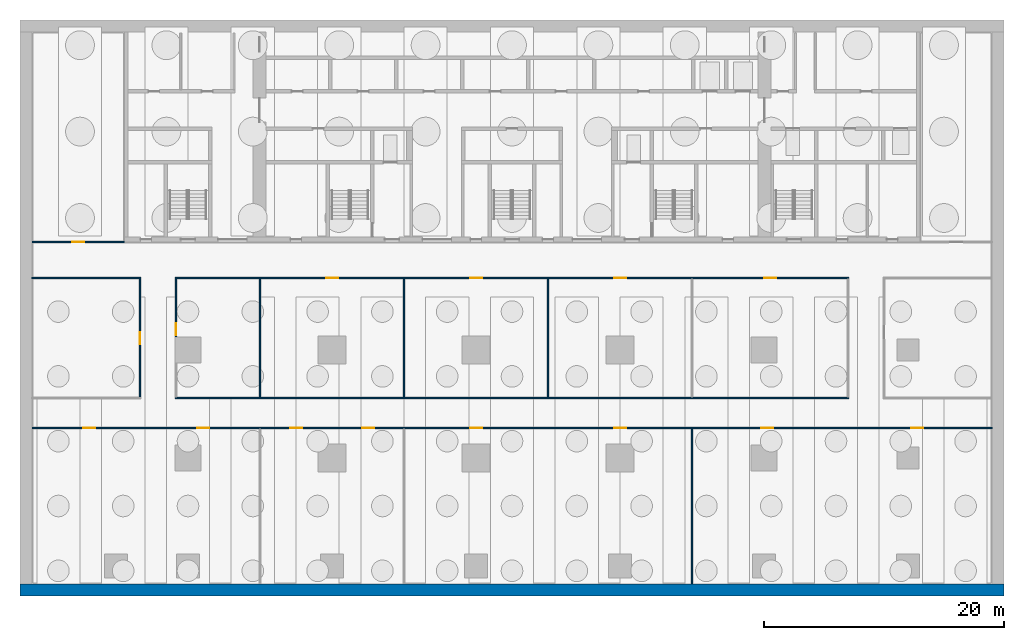
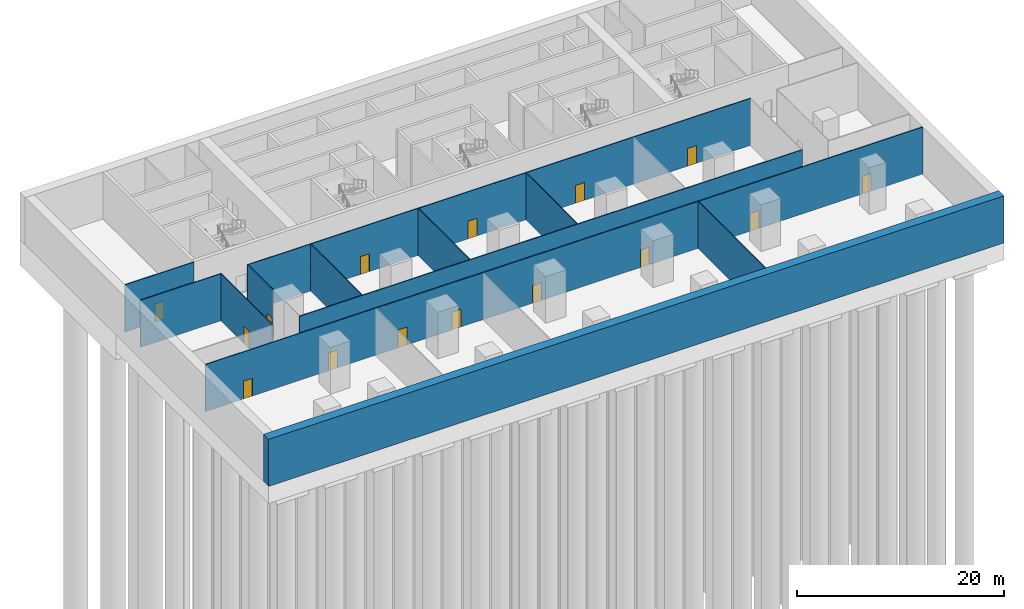
# One storey, part 3 of 11: 15 doors, 12 walls, 15 openings.
"""IFC4 building model written with IfcOpenShell, lengths in metres."""

from ifc_helpers import new_model, si_unit, direction, frame, frame_2d, origin, place, context, subcontext, project, spatial, rectangle, extrude, material, layer, layer_set, type_object, element, fill, save


model = new_model("IFC4")

# Units and contexts
model_context = context("Model", 3, precision=1e-05, world=origin(), true_north=direction((0.0, 1.0)))
body_context = subcontext(model_context, "Body", "Model", "MODEL_VIEW")
ifc_project = project(units=[si_unit("LENGTHUNIT", "METRE"), si_unit("AREAUNIT", "SQUARE_METRE"), si_unit("VOLUMEUNIT", "CUBIC_METRE"), si_unit("PLANEANGLEUNIT", "RADIAN"), si_unit("MASSUNIT", "GRAM", prefix="KILO")], contexts=[model_context])

# Site, building, storey
site_placement = place(None, origin())
site = spatial("IfcSite", under=ifc_project, at=site_placement, CompositionType="ELEMENT")
building_placement = place(site_placement, origin())
building = spatial("IfcBuilding", under=site, at=building_placement, Name="Calvaro Tower", CompositionType="ELEMENT")
storey_placement = place(building_placement, frame((0.0, 0.0, -12.0)))
storey = spatial("IfcBuildingStorey", under=building, at=storey_placement, Name="B2", CompositionType="ELEMENT", Elevation=-12.0)

# Wall
ifc_material_1 = material(Name="Plasterboard on steel studs", Category="steel")
ifc_layer_1 = layer(ifc_material_1, 0.10009765625)
ifc_layer_set_1 = layer_set([ifc_layer_1], Name="Plasterboard on steel studs")
wall_type_1 = type_object("IfcWallType", Name="Partition 100 EI 60", PredefinedType="PARTITIONING", material=ifc_layer_set_1)
wall_1_placement = place(storey_placement, frame((-1.0, 25.0, 0.0), z_axis=(0.0, 0.0, 1.0), x_axis=(1.0, 0.0, 0.0)))
element("IfcWall", 1, at=wall_1_placement, inside=storey, type_object=wall_type_1, Name="Partition T01.W005", PredefinedType="PARTITIONING", context=body_context, shape_type="SweptSolid", body=[
    extrude(rectangle(XDim=9.050048828125, YDim=0.10009765625, at=frame_2d((4.52490234375, 0.0))), origin(), (0.0, 0.0, 1.0), 5.550048828125),
])

# Wall, opening, door
wall_2_placement = place(storey_placement, frame((8.0, 15.050048828125, 0.0), z_axis=(0.0, 0.0, 1.0), x_axis=(0.0, 1.0, 0.0)))
wall_2 = element("IfcWall", 2, at=wall_2_placement, inside=storey, type_object=wall_type_1, Name="Partition T01.W010", PredefinedType="PARTITIONING", context=body_context, shape_type="SweptSolid", body=[
    extrude(rectangle(XDim=9.89990234375, YDim=0.10009765625, at=frame_2d((4.949951171875, 0.0))), origin(), (0.0, 0.0, 1.0), 5.550048828125),
])
opening_1_placement = place(wall_2_placement, frame((4.449951171875, 0.0, 0.0)))
opening_1 = element("IfcOpeningElement", 3, at=opening_1_placement, cuts=wall_2, Name="Opening T01.009", PredefinedType="OPENING", context=body_context, shape_type="SweptSolid", body=[
    extrude(rectangle(XDim=1.0, YDim=2.10009765625, at=frame_2d((0.5, 1.050048828125))), frame((0.0, 0.06005859375, 0.0), z_axis=(0.0, -1.0, 0.0), x_axis=(1.0, 0.0, 0.0)), (0.0, 0.0, 1.0), 0.1201171875),
])
ifc_material_2 = material(Name="Timber", Category="wood")
door_type_1 = type_object("IfcDoorType", Name="Internal single door 1000 x 2100 FD30", OperationType="SINGLE_SWING_LEFT", PredefinedType="DOOR", material=ifc_material_2)
door_1_placement = place(opening_1_placement, origin())
door_1 = element("IfcDoor", 4, at=door_1_placement, inside=storey, type_object=door_type_1, Name="Door T01.009", OperationType="SINGLE_SWING_RIGHT", OverallHeight=2.10009765625, OverallWidth=1.0, PredefinedType="DOOR", context=body_context, shape_type="SweptSolid", body=[
    extrude(rectangle(XDim=1.0, YDim=2.10009765625, at=frame_2d((0.5, 1.050048828125))), frame((0.0, 0.02490234375, 0.0), z_axis=(0.0, -1.0, 0.0), x_axis=(1.0, 0.0, 0.0)), (0.0, 0.0, 1.0), 0.050048828125),
])
fill(opening_1, door_1)

# Wall, openings, doors
ifc_material_3 = material(Name="Plasterboard on steel studs", Category="steel")
ifc_layer_2 = layer(ifc_material_3, 0.10009765625)
ifc_layer_set_2 = layer_set([ifc_layer_2], Name="Plasterboard on steel studs")
wall_type_2 = type_object("IfcWallType", Name="Partition 100 REI 120", PredefinedType="PARTITIONING", material=ifc_layer_set_2)
wall_3_placement = place(storey_placement, frame((-1.0, 12.5, 0.0), z_axis=(0.0, 0.0, 1.0), x_axis=(1.0, 0.0, 0.0)))
wall_3 = element("IfcWall", 5, at=wall_3_placement, inside=storey, type_object=wall_type_2, Name="Partition T01.W001", PredefinedType="PARTITIONING", context=body_context, shape_type="SweptSolid", body=[
    extrude(rectangle(XDim=80.0, YDim=0.10009765625, at=frame_2d((40.0, 0.0))), origin(), (0.0, 0.0, 1.0), 5.550048828125),
])
opening_2_placement = place(wall_3_placement, frame((4.25, 0.0, 0.0)))
opening_2 = element("IfcOpeningElement", 6, at=opening_2_placement, cuts=wall_3, Name="Opening T01.001", PredefinedType="OPENING", context=body_context, shape_type="SweptSolid", body=[
    extrude(rectangle(XDim=1.0, YDim=2.10009765625, at=frame_2d((0.5, 1.050048828125))), frame((0.0, 0.06005859375, 0.0), z_axis=(0.0, -1.0, 0.0), x_axis=(1.0, 0.0, 0.0)), (0.0, 0.0, 1.0), 0.1201171875),
])
opening_3_placement = place(wall_3_placement, frame((13.75, 0.0, 0.0)))
opening_3 = element("IfcOpeningElement", 7, at=opening_3_placement, cuts=wall_3, Name="Opening T01.002", PredefinedType="OPENING", context=body_context, shape_type="SweptSolid", body=[
    extrude(rectangle(XDim=1.0, YDim=2.10009765625, at=frame_2d((0.5, 1.050048828125))), frame((0.0, 0.06005859375, 0.0), z_axis=(0.0, -1.0, 0.0), x_axis=(1.0, 0.0, 0.0)), (0.0, 0.0, 1.0), 0.1201171875),
])
opening_4_placement = place(wall_3_placement, frame((21.5, 0.0, 0.0)))
opening_4 = element("IfcOpeningElement", 8, at=opening_4_placement, cuts=wall_3, Name="Opening T01.003", PredefinedType="OPENING", context=body_context, shape_type="SweptSolid", body=[
    extrude(rectangle(XDim=1.0, YDim=2.10009765625, at=frame_2d((0.5, 1.050048828125))), frame((0.0, 0.06005859375, 0.0), z_axis=(0.0, -1.0, 0.0), x_axis=(1.0, 0.0, 0.0)), (0.0, 0.0, 1.0), 0.1201171875),
])
opening_5_placement = place(wall_3_placement, frame((27.5, 0.0, 0.0)))
opening_5 = element("IfcOpeningElement", 9, at=opening_5_placement, cuts=wall_3, Name="Opening T01.004", PredefinedType="OPENING", context=body_context, shape_type="SweptSolid", body=[
    extrude(rectangle(XDim=1.0, YDim=2.10009765625, at=frame_2d((0.5, 1.050048828125))), frame((0.0, 0.06005859375, 0.0), z_axis=(0.0, -1.0, 0.0), x_axis=(1.0, 0.0, 0.0)), (0.0, 0.0, 1.0), 0.1201171875),
])
opening_6_placement = place(wall_3_placement, frame((36.5, 0.0, 0.0)))
opening_6 = element("IfcOpeningElement", 10, at=opening_6_placement, cuts=wall_3, Name="Opening T01.005", PredefinedType="OPENING", context=body_context, shape_type="SweptSolid", body=[
    extrude(rectangle(XDim=1.0, YDim=2.10009765625, at=frame_2d((0.5, 1.050048828125))), frame((0.0, 0.06005859375, 0.0), z_axis=(0.0, -1.0, 0.0), x_axis=(1.0, 0.0, 0.0)), (0.0, 0.0, 1.0), 0.1201171875),
])
opening_7_placement = place(wall_3_placement, frame((48.5, 0.0, 0.0)))
opening_7 = element("IfcOpeningElement", 11, at=opening_7_placement, cuts=wall_3, Name="Opening T01.006", PredefinedType="OPENING", context=body_context, shape_type="SweptSolid", body=[
    extrude(rectangle(XDim=1.0, YDim=2.10009765625, at=frame_2d((0.5, 1.050048828125))), frame((0.0, 0.06005859375, 0.0), z_axis=(0.0, -1.0, 0.0), x_axis=(1.0, 0.0, 0.0)), (0.0, 0.0, 1.0), 0.1201171875),
])
opening_8_placement = place(wall_3_placement, frame((60.75, 0.0, 0.0)))
opening_8 = element("IfcOpeningElement", 12, at=opening_8_placement, cuts=wall_3, Name="Opening T01.007", PredefinedType="OPENING", context=body_context, shape_type="SweptSolid", body=[
    extrude(rectangle(XDim=1.0, YDim=2.10009765625, at=frame_2d((0.5, 1.050048828125))), frame((0.0, 0.06005859375, 0.0), z_axis=(0.0, -1.0, 0.0), x_axis=(1.0, 0.0, 0.0)), (0.0, 0.0, 1.0), 0.1201171875),
])
opening_9_placement = place(wall_3_placement, frame((73.25, 0.0, 0.0)))
opening_9 = element("IfcOpeningElement", 13, at=opening_9_placement, cuts=wall_3, Name="Opening T01.008", PredefinedType="OPENING", context=body_context, shape_type="SweptSolid", body=[
    extrude(rectangle(XDim=1.0, YDim=2.10009765625, at=frame_2d((0.5, 1.050048828125))), frame((0.0, 0.06005859375, 0.0), z_axis=(0.0, -1.0, 0.0), x_axis=(1.0, 0.0, 0.0)), (0.0, 0.0, 1.0), 0.1201171875),
])
ifc_material_4 = material(Name="Timber", Category="wood")
door_type_2 = type_object("IfcDoorType", Name="Internal single door 1000 x 2100 FD60", OperationType="SINGLE_SWING_LEFT", PredefinedType="DOOR", material=ifc_material_4)
door_2_placement = place(opening_2_placement, origin())
door_2 = element("IfcDoor", 14, at=door_2_placement, inside=storey, type_object=door_type_2, Name="Door T01.001", OperationType="SINGLE_SWING_LEFT", OverallHeight=2.10009765625, OverallWidth=1.0, PredefinedType="DOOR", context=body_context, shape_type="SweptSolid", body=[
    extrude(rectangle(XDim=1.0, YDim=2.10009765625, at=frame_2d((0.5, 1.050048828125))), frame((0.0, 0.02490234375, 0.0), z_axis=(0.0, -1.0, 0.0), x_axis=(1.0, 0.0, 0.0)), (0.0, 0.0, 1.0), 0.050048828125),
])
fill(opening_2, door_2)
door_3_placement = place(opening_3_placement, origin())
door_3 = element("IfcDoor", 15, at=door_3_placement, inside=storey, type_object=door_type_2, Name="Door T01.002", OperationType="SINGLE_SWING_LEFT", OverallHeight=2.10009765625, OverallWidth=1.0, PredefinedType="DOOR", context=body_context, shape_type="SweptSolid", body=[
    extrude(rectangle(XDim=1.0, YDim=2.10009765625, at=frame_2d((0.5, 1.050048828125))), frame((0.0, 0.02490234375, 0.0), z_axis=(0.0, -1.0, 0.0), x_axis=(1.0, 0.0, 0.0)), (0.0, 0.0, 1.0), 0.050048828125),
])
fill(opening_3, door_3)
door_4_placement = place(opening_4_placement, origin())
door_4 = element("IfcDoor", 16, at=door_4_placement, inside=storey, type_object=door_type_2, Name="Door T01.003", OperationType="SINGLE_SWING_LEFT", OverallHeight=2.10009765625, OverallWidth=1.0, PredefinedType="DOOR", context=body_context, shape_type="SweptSolid", body=[
    extrude(rectangle(XDim=1.0, YDim=2.10009765625, at=frame_2d((0.5, 1.050048828125))), frame((0.0, 0.02490234375, 0.0), z_axis=(0.0, -1.0, 0.0), x_axis=(1.0, 0.0, 0.0)), (0.0, 0.0, 1.0), 0.050048828125),
])
fill(opening_4, door_4)
door_5_placement = place(opening_5_placement, origin())
door_5 = element("IfcDoor", 17, at=door_5_placement, inside=storey, type_object=door_type_2, Name="Door T01.004", OperationType="SINGLE_SWING_LEFT", OverallHeight=2.10009765625, OverallWidth=1.0, PredefinedType="DOOR", context=body_context, shape_type="SweptSolid", body=[
    extrude(rectangle(XDim=1.0, YDim=2.10009765625, at=frame_2d((0.5, 1.050048828125))), frame((0.0, 0.02490234375, 0.0), z_axis=(0.0, -1.0, 0.0), x_axis=(1.0, 0.0, 0.0)), (0.0, 0.0, 1.0), 0.050048828125),
])
fill(opening_5, door_5)
door_6_placement = place(opening_6_placement, origin())
door_6 = element("IfcDoor", 18, at=door_6_placement, inside=storey, type_object=door_type_2, Name="Door T01.005", OperationType="SINGLE_SWING_LEFT", OverallHeight=2.10009765625, OverallWidth=1.0, PredefinedType="DOOR", context=body_context, shape_type="SweptSolid", body=[
    extrude(rectangle(XDim=1.0, YDim=2.10009765625, at=frame_2d((0.5, 1.050048828125))), frame((0.0, 0.02490234375, 0.0), z_axis=(0.0, -1.0, 0.0), x_axis=(1.0, 0.0, 0.0)), (0.0, 0.0, 1.0), 0.050048828125),
])
fill(opening_6, door_6)
door_7_placement = place(opening_7_placement, origin())
door_7 = element("IfcDoor", 19, at=door_7_placement, inside=storey, type_object=door_type_2, Name="Door T01.006", OperationType="SINGLE_SWING_RIGHT", OverallHeight=2.10009765625, OverallWidth=1.0, PredefinedType="DOOR", context=body_context, shape_type="SweptSolid", body=[
    extrude(rectangle(XDim=1.0, YDim=2.10009765625, at=frame_2d((0.5, 1.050048828125))), frame((0.0, 0.02490234375, 0.0), z_axis=(0.0, -1.0, 0.0), x_axis=(1.0, 0.0, 0.0)), (0.0, 0.0, 1.0), 0.050048828125),
])
fill(opening_7, door_7)
door_8_placement = place(opening_8_placement, origin())
door_8 = element("IfcDoor", 20, at=door_8_placement, inside=storey, type_object=door_type_2, Name="Door T01.007", OperationType="SINGLE_SWING_RIGHT", OverallHeight=2.10009765625, OverallWidth=1.0, PredefinedType="DOOR", context=body_context, shape_type="SweptSolid", body=[
    extrude(rectangle(XDim=1.0, YDim=2.10009765625, at=frame_2d((0.5, 1.050048828125))), frame((0.0, 0.02490234375, 0.0), z_axis=(0.0, -1.0, 0.0), x_axis=(1.0, 0.0, 0.0)), (0.0, 0.0, 1.0), 0.050048828125),
])
fill(opening_8, door_8)
door_9_placement = place(opening_9_placement, origin())
door_9 = element("IfcDoor", 21, at=door_9_placement, inside=storey, type_object=door_type_2, Name="Door T01.008", OperationType="SINGLE_SWING_RIGHT", OverallHeight=2.10009765625, OverallWidth=1.0, PredefinedType="DOOR", context=body_context, shape_type="SweptSolid", body=[
    extrude(rectangle(XDim=1.0, YDim=2.10009765625, at=frame_2d((0.5, 1.050048828125))), frame((0.0, 0.02490234375, 0.0), z_axis=(0.0, -1.0, 0.0), x_axis=(1.0, 0.0, 0.0)), (0.0, 0.0, 1.0), 0.050048828125),
])
fill(opening_9, door_9)

# Wall
wall_4_placement = place(storey_placement, frame((10.949951171875, 15.0, 0.0), z_axis=(0.0, 0.0, 1.0), x_axis=(1.0, 0.0, 0.0)))
element("IfcWall", 22, at=wall_4_placement, inside=storey, type_object=wall_type_2, Name="Partition T01.W003", PredefinedType="PARTITIONING", context=body_context, shape_type="SweptSolid", body=[
    extrude(rectangle(XDim=56.10009765625, YDim=0.10009765625, at=frame_2d((28.050048828125, 0.0))), origin(), (0.0, 0.0, 1.0), 5.550048828125),
])

# Wall, openings, doors
wall_5_placement = place(storey_placement, frame((10.949951171875, 25.0, 0.0), z_axis=(0.0, 0.0, 1.0), x_axis=(1.0, 0.0, 0.0)))
wall_5 = element("IfcWall", 23, at=wall_5_placement, inside=storey, type_object=wall_type_2, Name="Partition T01.W006", PredefinedType="PARTITIONING", context=body_context, shape_type="SweptSolid", body=[
    extrude(rectangle(XDim=56.10009765625, YDim=0.10009765625, at=frame_2d((28.050048828125, 0.0))), origin(), (0.0, 0.0, 1.0), 5.550048828125),
])
opening_10_placement = place(wall_5_placement, frame((12.550048828125, 0.0, 0.0)))
opening_10 = element("IfcOpeningElement", 24, at=opening_10_placement, cuts=wall_5, Name="Opening T01.011", PredefinedType="OPENING", context=body_context, shape_type="SweptSolid", body=[
    extrude(rectangle(XDim=1.0, YDim=2.10009765625, at=frame_2d((0.5, 1.050048828125))), frame((0.0, 0.06005859375, 0.0), z_axis=(0.0, -1.0, 0.0), x_axis=(1.0, 0.0, 0.0)), (0.0, 0.0, 1.0), 0.1201171875),
])
opening_11_placement = place(wall_5_placement, frame((24.550048828125, 0.0, 0.0)))
opening_11 = element("IfcOpeningElement", 25, at=opening_11_placement, cuts=wall_5, Name="Opening T01.012", PredefinedType="OPENING", context=body_context, shape_type="SweptSolid", body=[
    extrude(rectangle(XDim=1.0, YDim=2.10009765625, at=frame_2d((0.5, 1.050048828125))), frame((0.0, 0.06005859375, 0.0), z_axis=(0.0, -1.0, 0.0), x_axis=(1.0, 0.0, 0.0)), (0.0, 0.0, 1.0), 0.1201171875),
])
opening_12_placement = place(wall_5_placement, frame((36.550048828125, 0.0, 0.0)))
opening_12 = element("IfcOpeningElement", 26, at=opening_12_placement, cuts=wall_5, Name="Opening T01.013", PredefinedType="OPENING", context=body_context, shape_type="SweptSolid", body=[
    extrude(rectangle(XDim=1.0, YDim=2.10009765625, at=frame_2d((0.5, 1.050048828125))), frame((0.0, 0.06005859375, 0.0), z_axis=(0.0, -1.0, 0.0), x_axis=(1.0, 0.0, 0.0)), (0.0, 0.0, 1.0), 0.1201171875),
])
opening_13_placement = place(wall_5_placement, frame((49.050048828125, 0.0, 0.0)))
opening_13 = element("IfcOpeningElement", 27, at=opening_13_placement, cuts=wall_5, Name="Opening T01.014", PredefinedType="OPENING", context=body_context, shape_type="SweptSolid", body=[
    extrude(rectangle(XDim=1.0, YDim=2.10009765625, at=frame_2d((0.5, 1.050048828125))), frame((0.0, 0.06005859375, 0.0), z_axis=(0.0, -1.0, 0.0), x_axis=(1.0, 0.0, 0.0)), (0.0, 0.0, 1.0), 0.1201171875),
])
door_10_placement = place(opening_12_placement, origin())
door_10 = element("IfcDoor", 28, at=door_10_placement, inside=storey, type_object=door_type_1, Name="Door T01.013", OperationType="SINGLE_SWING_RIGHT", OverallHeight=2.10009765625, OverallWidth=1.0, PredefinedType="DOOR", context=body_context, shape_type="SweptSolid", body=[
    extrude(rectangle(XDim=1.0, YDim=2.10009765625, at=frame_2d((0.5, 1.050048828125))), frame((0.0, 0.02490234375, 0.0), z_axis=(0.0, -1.0, 0.0), x_axis=(1.0, 0.0, 0.0)), (0.0, 0.0, 1.0), 0.050048828125),
])
fill(opening_12, door_10)
door_11_placement = place(opening_10_placement, origin())
door_11 = element("IfcDoor", 29, at=door_11_placement, inside=storey, type_object=door_type_2, Name="Door T01.011", OperationType="SINGLE_SWING_LEFT", OverallHeight=2.10009765625, OverallWidth=1.0, PredefinedType="DOOR", context=body_context, shape_type="SweptSolid", body=[
    extrude(rectangle(XDim=1.0, YDim=2.10009765625, at=frame_2d((0.5, 1.050048828125))), frame((0.0, 0.02490234375, 0.0), z_axis=(0.0, -1.0, 0.0), x_axis=(1.0, 0.0, 0.0)), (0.0, 0.0, 1.0), 0.050048828125),
])
fill(opening_10, door_11)
door_12_placement = place(opening_11_placement, origin())
door_12 = element("IfcDoor", 30, at=door_12_placement, inside=storey, type_object=door_type_2, Name="Door T01.012", OperationType="SINGLE_SWING_LEFT", OverallHeight=2.10009765625, OverallWidth=1.0, PredefinedType="DOOR", context=body_context, shape_type="SweptSolid", body=[
    extrude(rectangle(XDim=1.0, YDim=2.10009765625, at=frame_2d((0.5, 1.050048828125))), frame((0.0, 0.02490234375, 0.0), z_axis=(0.0, -1.0, 0.0), x_axis=(1.0, 0.0, 0.0)), (0.0, 0.0, 1.0), 0.050048828125),
])
fill(opening_11, door_12)
door_13_placement = place(opening_13_placement, origin())
door_13 = element("IfcDoor", 31, at=door_13_placement, inside=storey, type_object=door_type_2, Name="Door T01.014", OperationType="SINGLE_SWING_RIGHT", OverallHeight=2.10009765625, OverallWidth=1.0, PredefinedType="DOOR", context=body_context, shape_type="SweptSolid", body=[
    extrude(rectangle(XDim=1.0, YDim=2.10009765625, at=frame_2d((0.5, 1.050048828125))), frame((0.0, 0.02490234375, 0.0), z_axis=(0.0, -1.0, 0.0), x_axis=(1.0, 0.0, 0.0)), (0.0, 0.0, 1.0), 0.050048828125),
])
fill(opening_13, door_13)

# Wall, opening, door
wall_6_placement = place(storey_placement, frame((-1.0, 28.0, 0.0), z_axis=(0.0, 0.0, 1.0), x_axis=(1.0, 0.0, 0.0)))
wall_6 = element("IfcWall", 32, at=wall_6_placement, inside=storey, type_object=wall_type_2, Name="Partition T01.W008", PredefinedType="PARTITIONING", context=body_context, shape_type="SweptSolid", body=[
    extrude(rectangle(XDim=7.699951171875, YDim=0.10009765625, at=frame_2d((3.85009765625, 0.0))), origin(), (0.0, 0.0, 1.0), 5.550048828125),
])
opening_14_placement = place(wall_6_placement, frame((3.35009765625, 0.0, 0.0)))
opening_14 = element("IfcOpeningElement", 33, at=opening_14_placement, cuts=wall_6, Name="Opening T01.016", PredefinedType="OPENING", context=body_context, shape_type="SweptSolid", body=[
    extrude(rectangle(XDim=1.0, YDim=2.10009765625, at=frame_2d((0.5, 1.050048828125))), frame((0.0, 0.06005859375, 0.0), z_axis=(0.0, -1.0, 0.0), x_axis=(1.0, 0.0, 0.0)), (0.0, 0.0, 1.0), 0.1201171875),
])
door_14_placement = place(opening_14_placement, origin())
door_14 = element("IfcDoor", 34, at=door_14_placement, inside=storey, type_object=door_type_2, Name="Door T01.016", OperationType="SINGLE_SWING_RIGHT", OverallHeight=2.10009765625, OverallWidth=1.0, PredefinedType="DOOR", context=body_context, shape_type="SweptSolid", body=[
    extrude(rectangle(XDim=1.0, YDim=2.10009765625, at=frame_2d((0.5, 1.050048828125))), frame((0.0, 0.02490234375, 0.0), z_axis=(0.0, -1.0, 0.0), x_axis=(1.0, 0.0, 0.0)), (0.0, 0.0, 1.0), 0.050048828125),
])
fill(opening_14, door_14)

wall_7_placement = place(storey_placement, frame((11.0, 20.10009765625, 0.0), z_axis=(0.0, 0.0, 1.0), x_axis=(0.0, 1.0, 0.0)))
wall_7 = element("IfcWall", 35, at=wall_7_placement, inside=storey, type_object=wall_type_2, Name="Partition T01.W012", PredefinedType="PARTITIONING", context=body_context, shape_type="SweptSolid", body=[
    extrude(rectangle(XDim=4.849853515625, YDim=0.10009765625, at=frame_2d((2.4248046875, 0.0))), origin(), (0.0, 0.0, 1.0), 5.550048828125),
])
opening_15_placement = place(wall_7_placement, frame((0.14990234375, 0.0, 0.0)))
opening_15 = element("IfcOpeningElement", 36, at=opening_15_placement, cuts=wall_7, Name="Opening T01.010", PredefinedType="OPENING", context=body_context, shape_type="SweptSolid", body=[
    extrude(rectangle(XDim=1.0, YDim=2.10009765625, at=frame_2d((0.5, 1.050048828125))), frame((0.0, 0.06005859375, 0.0), z_axis=(0.0, -1.0, 0.0), x_axis=(1.0, 0.0, 0.0)), (0.0, 0.0, 1.0), 0.1201171875),
])
door_15_placement = place(opening_15_placement, origin())
door_15 = element("IfcDoor", 37, at=door_15_placement, inside=storey, type_object=door_type_2, Name="Door T01.010", OperationType="SINGLE_SWING_LEFT", OverallHeight=2.10009765625, OverallWidth=1.0, PredefinedType="DOOR", context=body_context, shape_type="SweptSolid", body=[
    extrude(rectangle(XDim=1.0, YDim=2.10009765625, at=frame_2d((0.5, 1.050048828125))), frame((0.0, 0.02490234375, 0.0), z_axis=(0.0, -1.0, 0.0), x_axis=(1.0, 0.0, 0.0)), (0.0, 0.0, 1.0), 0.050048828125),
])
fill(opening_15, door_15)

# Walls
for number, where, z_axis, x_axis, name in (
    (38, (18.0, 15.050048828125, 0.0), (0.0, 0.0, 1.0), (0.0, 1.0, 0.0), "Partition T01.W014"),
    (39, (30.0, 15.050048828125, 0.0), (0.0, 0.0, 1.0), (0.0, 1.0, 0.0), "Partition T01.W016"),
    (40, (42.0, 15.050048828125, 0.0), (0.0, 0.0, 1.0), (0.0, 1.0, 0.0), "Partition T01.W017"),
):
    element("IfcWall", number, at=place(storey_placement, frame(where, z_axis=z_axis, x_axis=x_axis)), inside=storey, type_object=wall_type_2, Name=name, PredefinedType="PARTITIONING", context=body_context, shape_type="SweptSolid", body=[
        extrude(rectangle(XDim=9.89990234375, YDim=0.10009765625, at=frame_2d((4.949951171875, 0.0))), origin(), (0.0, 0.0, 1.0), 5.550048828125),
    ])
wall_8_placement = place(storey_placement, frame((54.0, -0.5, 0.0), z_axis=(0.0, 0.0, 1.0), x_axis=(0.0, 1.0, 0.0)))
element("IfcWall", 41, at=wall_8_placement, inside=storey, type_object=wall_type_2, Name="Partition T01.W018", PredefinedType="PARTITIONING", context=body_context, shape_type="SweptSolid", body=[
    extrude(rectangle(XDim=12.949951171875, YDim=0.10009765625, at=frame_2d((6.47509765625, 0.0))), origin(), (0.0, 0.0, 1.0), 5.550048828125),
])
ifc_material_5 = material(Name="Concrete C32/40", Category="concrete")
ifc_layer_3 = layer(ifc_material_5, 1.0)
ifc_layer_set_3 = layer_set([ifc_layer_3], Name="Concrete C32/40")
wall_type_3 = type_object("IfcWallType", Name="Retaining wall 1000 C32/40", PredefinedType="SOLIDWALL", material=ifc_layer_set_3)
wall_9_placement = place(storey_placement, frame((-2.0, -1.0, 0.0), z_axis=(0.0, 0.0, 1.0), x_axis=(1.0, 0.0, 0.0)))
element("IfcWall", 42, at=wall_9_placement, inside=storey, type_object=wall_type_3, Name="Basement wall", PredefinedType="SOLIDWALL", context=body_context, shape_type="SweptSolid", body=[
    extrude(rectangle(XDim=82.0, YDim=1.0, at=frame_2d((41.0, 0.0))), origin(), (0.0, 0.0, 1.0), 5.550048828125),
])

save(model, "model.ifc")
